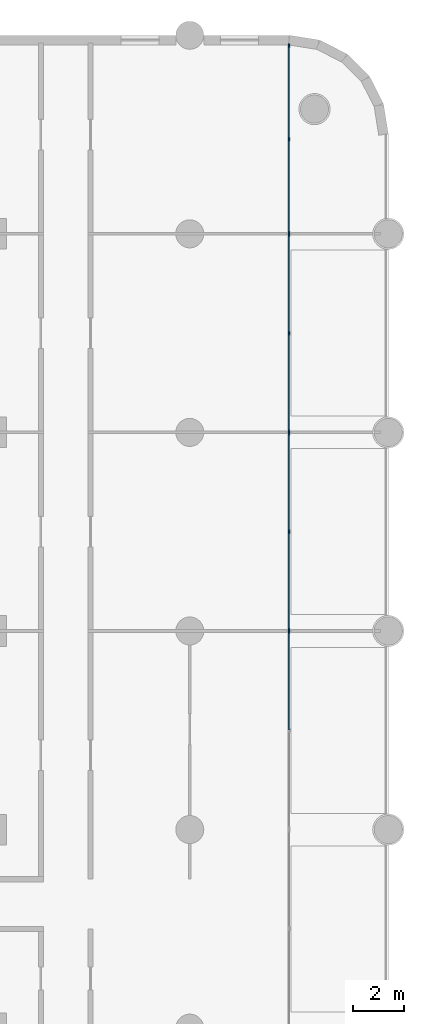
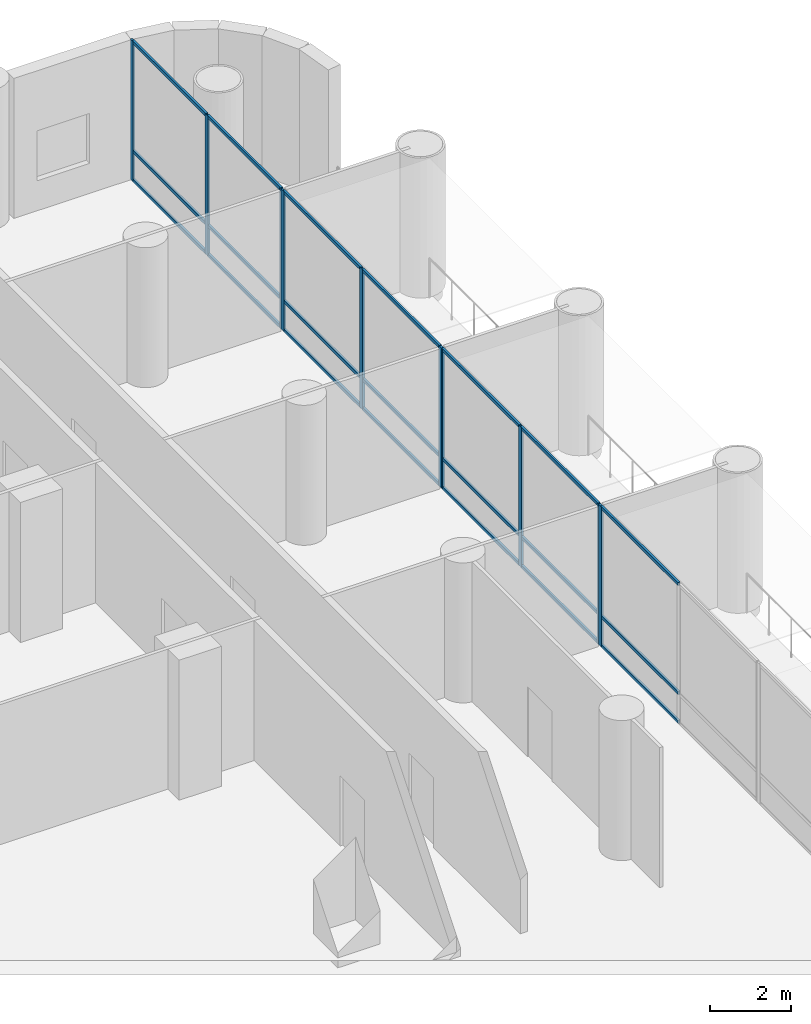
# One storey, part 7 of 24: 31 members, 4 elements without a shape of their own.
"""IFC4 building model written with IfcOpenShell, lengths in metres."""

from ifc_helpers import new_model, si_unit, direction, frame, origin, origin_2d, place, context, subcontext, project, spatial, rectangle, extrude, material, material_profile, profile_set, type_object, element, aggregate, save


model = new_model("IFC4")

# Units and contexts
model_context = context("Model", 3, precision=1e-05, world=origin(), true_north=direction((0.0, 1.0)))
body_context = subcontext(model_context, "Body", "Model", "MODEL_VIEW")
ifc_project = project(units=[si_unit("LENGTHUNIT", "METRE"), si_unit("AREAUNIT", "SQUARE_METRE"), si_unit("VOLUMEUNIT", "CUBIC_METRE"), si_unit("PLANEANGLEUNIT", "RADIAN"), si_unit("MASSUNIT", "GRAM", prefix="KILO")], contexts=[model_context])

# Site, building, storey
site_placement = place(None, origin())
site = spatial("IfcSite", under=ifc_project, at=site_placement, CompositionType="ELEMENT")
building_placement = place(site_placement, origin())
building = spatial("IfcBuilding", under=site, at=building_placement, Name="Ludao Terraces", CompositionType="ELEMENT")
storey_placement = place(building_placement, frame((0.0, 0.0, 6.0)))
storey = spatial("IfcBuildingStorey", under=building, at=storey_placement, Name="L01", CompositionType="ELEMENT", Elevation=6.0)

# Curtain wall, member
ifc_material_1 = material(Name="Aluminium curtain wall with fritted glass", Category="aluminium")
curtain_wall_type = type_object("IfcCurtainWallType", Name="ENV CW1 podium glazing", PredefinedType="NOTDEFINED", material=ifc_material_1)
curtain_wall_1_placement = place(storey_placement, origin())
curtain_wall_1 = element("IfcCurtainWall", 1, at=curtain_wall_1_placement, inside=storey, type_object=curtain_wall_type, Name="CW-L01-E5", PredefinedType="NOTDEFINED")
ifc_material_2 = material(Name="Aluminium 6063-T6", Category="aluminium")
ifc_material_profile_1 = material_profile(ifc_material_2, rectangle(XDim=0.06005859375, YDim=0.14990234375, at=origin_2d()), Name="60 X 150")
ifc_profile_set_1 = profile_set([ifc_material_profile_1], Name="Aluminium 6063-T6")
member_type_1 = type_object("IfcMemberType", Name="ENV CW1 mullion 60x150", PredefinedType="MULLION", material=ifc_profile_set_1)
member_1_placement = place(storey_placement, frame((120.10009765625, 64.969970703125, 0.0), z_axis=(0.0, 0.0, 1.0), x_axis=(-1.0, 0.0, 0.0)))
member_1 = element("IfcMember", 2, at=member_1_placement, type_object=member_type_1, Name="CW1 mullion 3", PredefinedType="MULLION", context=body_context, shape_type="SweptSolid", body=[
    extrude(rectangle(XDim=0.06005859375, YDim=0.14990234375, at=origin_2d()), origin(), (0.0, 0.0, 1.0), 4.199951171875),
])

# Curtain wall, members
curtain_wall_2_placement = place(storey_placement, origin())
curtain_wall_2 = element("IfcCurtainWall", 3, at=curtain_wall_2_placement, inside=storey, type_object=curtain_wall_type, Name="CW-L01-E6", PredefinedType="NOTDEFINED")
member_2_placement = place(storey_placement, frame((120.10009765625, 65.030029296875, 0.0), z_axis=(0.0, 0.0, 1.0), x_axis=(-1.0, 0.0, 0.0)))
member_2 = element("IfcMember", 4, at=member_2_placement, type_object=member_type_1, Name="CW1 mullion 1", PredefinedType="MULLION", context=body_context, shape_type="SweptSolid", body=[
    extrude(rectangle(XDim=0.06005859375, YDim=0.14990234375, at=origin_2d()), origin(), (0.0, 0.0, 1.0), 4.199951171875),
])
member_3_placement = place(storey_placement, frame((120.10009765625, 68.89990234375, 0.0), z_axis=(0.0, 0.0, 1.0), x_axis=(-1.0, 0.0, 0.0)))
member_3 = element("IfcMember", 5, at=member_3_placement, type_object=member_type_1, Name="CW1 mullion 2", PredefinedType="MULLION", context=body_context, shape_type="SweptSolid", body=[
    extrude(rectangle(XDim=0.06005859375, YDim=0.14990234375, at=origin_2d()), origin(), (0.0, 0.0, 1.0), 4.199951171875),
])
member_4_placement = place(storey_placement, frame((120.10009765625, 72.77001953125, 0.0), z_axis=(0.0, 0.0, 1.0), x_axis=(-1.0, 0.0, 0.0)))
member_4 = element("IfcMember", 6, at=member_4_placement, type_object=member_type_1, Name="CW1 mullion 3", PredefinedType="MULLION", context=body_context, shape_type="SweptSolid", body=[
    extrude(rectangle(XDim=0.06005859375, YDim=0.14990234375, at=origin_2d()), origin(), (0.0, 0.0, 1.0), 4.199951171875),
])

curtain_wall_3_placement = place(storey_placement, origin())
curtain_wall_3 = element("IfcCurtainWall", 7, at=curtain_wall_3_placement, inside=storey, type_object=curtain_wall_type, Name="CW-L01-E7", PredefinedType="NOTDEFINED")
member_5_placement = place(storey_placement, frame((120.10009765625, 72.830078125, 0.0), z_axis=(0.0, 0.0, 1.0), x_axis=(-1.0, 0.0, 0.0)))
member_5 = element("IfcMember", 8, at=member_5_placement, type_object=member_type_1, Name="CW1 mullion 1", PredefinedType="MULLION", context=body_context, shape_type="SweptSolid", body=[
    extrude(rectangle(XDim=0.06005859375, YDim=0.14990234375, at=origin_2d()), origin(), (0.0, 0.0, 1.0), 4.199951171875),
])
member_6_placement = place(storey_placement, frame((120.10009765625, 76.699951171875, 0.0), z_axis=(0.0, 0.0, 1.0), x_axis=(-1.0, 0.0, 0.0)))
member_6 = element("IfcMember", 9, at=member_6_placement, type_object=member_type_1, Name="CW1 mullion 2", PredefinedType="MULLION", context=body_context, shape_type="SweptSolid", body=[
    extrude(rectangle(XDim=0.06005859375, YDim=0.14990234375, at=origin_2d()), origin(), (0.0, 0.0, 1.0), 4.199951171875),
])
member_7_placement = place(storey_placement, frame((120.10009765625, 80.570068359375, 0.0), z_axis=(0.0, 0.0, 1.0), x_axis=(-1.0, 0.0, 0.0)))
member_7 = element("IfcMember", 10, at=member_7_placement, type_object=member_type_1, Name="CW1 mullion 3", PredefinedType="MULLION", context=body_context, shape_type="SweptSolid", body=[
    extrude(rectangle(XDim=0.06005859375, YDim=0.14990234375, at=origin_2d()), origin(), (0.0, 0.0, 1.0), 4.199951171875),
])

curtain_wall_4_placement = place(storey_placement, origin())
curtain_wall_4 = element("IfcCurtainWall", 11, at=curtain_wall_4_placement, inside=storey, type_object=curtain_wall_type, Name="CW-L01-E8", PredefinedType="NOTDEFINED")
member_8_placement = place(storey_placement, frame((120.10009765625, 80.6298828125, 0.0), z_axis=(0.0, 0.0, 1.0), x_axis=(-1.0, 0.0, 0.0)))
member_8 = element("IfcMember", 12, at=member_8_placement, type_object=member_type_1, Name="CW1 mullion 1", PredefinedType="MULLION", context=body_context, shape_type="SweptSolid", body=[
    extrude(rectangle(XDim=0.06005859375, YDim=0.14990234375, at=origin_2d()), origin(), (0.0, 0.0, 1.0), 4.199951171875),
])
member_9_placement = place(storey_placement, frame((120.10009765625, 84.31005859375, 0.0), z_axis=(0.0, 0.0, 1.0), x_axis=(-1.0, 0.0, 0.0)))
member_9 = element("IfcMember", 13, at=member_9_placement, type_object=member_type_1, Name="CW1 mullion 2", PredefinedType="MULLION", context=body_context, shape_type="SweptSolid", body=[
    extrude(rectangle(XDim=0.06005859375, YDim=0.14990234375, at=origin_2d()), origin(), (0.0, 0.0, 1.0), 4.199951171875),
])
member_10_placement = place(storey_placement, frame((120.10009765625, 87.989990234375, 0.0), z_axis=(0.0, 0.0, 1.0), x_axis=(-1.0, 0.0, 0.0)))
member_10 = element("IfcMember", 14, at=member_10_placement, type_object=member_type_1, Name="CW1 mullion 3", PredefinedType="MULLION", context=body_context, shape_type="SweptSolid", body=[
    extrude(rectangle(XDim=0.06005859375, YDim=0.14990234375, at=origin_2d()), origin(), (0.0, 0.0, 1.0), 4.199951171875),
])

# Member
ifc_material_profile_2 = material_profile(ifc_material_2, rectangle(XDim=0.06005859375, YDim=0.10009765625, at=origin_2d()), Name="60 X 100")
ifc_profile_set_2 = profile_set([ifc_material_profile_2], Name="Aluminium 6063-T6")
member_type_2 = type_object("IfcMemberType", Name="ENV CW1 transom 60x100", PredefinedType="USERDEFINED", material=ifc_profile_set_2)
member_11_placement = place(storey_placement, frame((120.10009765625, 61.1298828125, 0.030029296875), z_axis=(0.0, 1.0, 0.0), x_axis=(-1.0, 0.0, 0.0)))
member_11 = element("IfcMember", 15, at=member_11_placement, type_object=member_type_2, Name="CW1 transom 2.1", ObjectType="TRANSOM", PredefinedType="USERDEFINED", context=body_context, shape_type="SweptSolid", body=[
    extrude(rectangle(XDim=0.06005859375, YDim=0.10009765625, at=origin_2d()), origin(), (0.0, 0.0, 1.0), 3.81005859375),
])

member_12_placement = place(storey_placement, frame((120.10009765625, 61.1298828125, 0.89990234375), z_axis=(0.0, 1.0, 0.0), x_axis=(-1.0, 0.0, 0.0)))
member_12 = element("IfcMember", 16, at=member_12_placement, type_object=member_type_2, Name="CW1 transom 2.2", ObjectType="TRANSOM", PredefinedType="USERDEFINED", context=body_context, shape_type="SweptSolid", body=[
    extrude(rectangle(XDim=0.06005859375, YDim=0.10009765625, at=origin_2d()), origin(), (0.0, 0.0, 1.0), 3.81005859375),
])

member_13_placement = place(storey_placement, frame((120.10009765625, 61.1298828125, 4.169921875), z_axis=(0.0, 1.0, 0.0), x_axis=(-1.0, 0.0, 0.0)))
member_13 = element("IfcMember", 17, at=member_13_placement, type_object=member_type_2, Name="CW1 transom 2.3", ObjectType="TRANSOM", PredefinedType="USERDEFINED", context=body_context, shape_type="SweptSolid", body=[
    extrude(rectangle(XDim=0.06005859375, YDim=0.10009765625, at=origin_2d()), origin(), (0.0, 0.0, 1.0), 3.81005859375),
])

aggregate(curtain_wall_1, [member_1, member_11, member_12, member_13])

member_14_placement = place(storey_placement, frame((120.10009765625, 65.06005859375, 0.030029296875), z_axis=(0.0, 1.0, 0.0), x_axis=(-1.0, 0.0, 0.0)))
member_14 = element("IfcMember", 18, at=member_14_placement, type_object=member_type_2, Name="CW1 transom 1.1", ObjectType="TRANSOM", PredefinedType="USERDEFINED", context=body_context, shape_type="SweptSolid", body=[
    extrude(rectangle(XDim=0.06005859375, YDim=0.10009765625, at=origin_2d()), origin(), (0.0, 0.0, 1.0), 3.81005859375),
])

member_15_placement = place(storey_placement, frame((120.10009765625, 65.06005859375, 0.89990234375), z_axis=(0.0, 1.0, 0.0), x_axis=(-1.0, 0.0, 0.0)))
member_15 = element("IfcMember", 19, at=member_15_placement, type_object=member_type_2, Name="CW1 transom 1.2", ObjectType="TRANSOM", PredefinedType="USERDEFINED", context=body_context, shape_type="SweptSolid", body=[
    extrude(rectangle(XDim=0.06005859375, YDim=0.10009765625, at=origin_2d()), origin(), (0.0, 0.0, 1.0), 3.81005859375),
])

member_16_placement = place(storey_placement, frame((120.10009765625, 65.06005859375, 4.169921875), z_axis=(0.0, 1.0, 0.0), x_axis=(-1.0, 0.0, 0.0)))
member_16 = element("IfcMember", 20, at=member_16_placement, type_object=member_type_2, Name="CW1 transom 1.3", ObjectType="TRANSOM", PredefinedType="USERDEFINED", context=body_context, shape_type="SweptSolid", body=[
    extrude(rectangle(XDim=0.06005859375, YDim=0.10009765625, at=origin_2d()), origin(), (0.0, 0.0, 1.0), 3.81005859375),
])

member_17_placement = place(storey_placement, frame((120.10009765625, 68.929931640625, 0.030029296875), z_axis=(0.0, 1.0, 0.0), x_axis=(-1.0, 0.0, 0.0)))
member_17 = element("IfcMember", 21, at=member_17_placement, type_object=member_type_2, Name="CW1 transom 2.1", ObjectType="TRANSOM", PredefinedType="USERDEFINED", context=body_context, shape_type="SweptSolid", body=[
    extrude(rectangle(XDim=0.06005859375, YDim=0.10009765625, at=origin_2d()), origin(), (0.0, 0.0, 1.0), 3.81005859375),
])

member_18_placement = place(storey_placement, frame((120.10009765625, 68.929931640625, 0.89990234375), z_axis=(0.0, 1.0, 0.0), x_axis=(-1.0, 0.0, 0.0)))
member_18 = element("IfcMember", 22, at=member_18_placement, type_object=member_type_2, Name="CW1 transom 2.2", ObjectType="TRANSOM", PredefinedType="USERDEFINED", context=body_context, shape_type="SweptSolid", body=[
    extrude(rectangle(XDim=0.06005859375, YDim=0.10009765625, at=origin_2d()), origin(), (0.0, 0.0, 1.0), 3.81005859375),
])

member_19_placement = place(storey_placement, frame((120.10009765625, 68.929931640625, 4.169921875), z_axis=(0.0, 1.0, 0.0), x_axis=(-1.0, 0.0, 0.0)))
member_19 = element("IfcMember", 23, at=member_19_placement, type_object=member_type_2, Name="CW1 transom 2.3", ObjectType="TRANSOM", PredefinedType="USERDEFINED", context=body_context, shape_type="SweptSolid", body=[
    extrude(rectangle(XDim=0.06005859375, YDim=0.10009765625, at=origin_2d()), origin(), (0.0, 0.0, 1.0), 3.81005859375),
])

aggregate(curtain_wall_2, [member_2, member_3, member_4, member_14, member_15, member_16, member_17, member_18, member_19])

member_20_placement = place(storey_placement, frame((120.10009765625, 72.860107421875, 0.030029296875), z_axis=(0.0, 1.0, 0.0), x_axis=(-1.0, 0.0, 0.0)))
member_20 = element("IfcMember", 24, at=member_20_placement, type_object=member_type_2, Name="CW1 transom 1.1", ObjectType="TRANSOM", PredefinedType="USERDEFINED", context=body_context, shape_type="SweptSolid", body=[
    extrude(rectangle(XDim=0.06005859375, YDim=0.10009765625, at=origin_2d()), origin(), (0.0, 0.0, 1.0), 3.809814453125),
])

member_21_placement = place(storey_placement, frame((120.10009765625, 72.860107421875, 0.89990234375), z_axis=(0.0, 1.0, 0.0), x_axis=(-1.0, 0.0, 0.0)))
member_21 = element("IfcMember", 25, at=member_21_placement, type_object=member_type_2, Name="CW1 transom 1.2", ObjectType="TRANSOM", PredefinedType="USERDEFINED", context=body_context, shape_type="SweptSolid", body=[
    extrude(rectangle(XDim=0.06005859375, YDim=0.10009765625, at=origin_2d()), origin(), (0.0, 0.0, 1.0), 3.809814453125),
])

member_22_placement = place(storey_placement, frame((120.10009765625, 72.860107421875, 4.169921875), z_axis=(0.0, 1.0, 0.0), x_axis=(-1.0, 0.0, 0.0)))
member_22 = element("IfcMember", 26, at=member_22_placement, type_object=member_type_2, Name="CW1 transom 1.3", ObjectType="TRANSOM", PredefinedType="USERDEFINED", context=body_context, shape_type="SweptSolid", body=[
    extrude(rectangle(XDim=0.06005859375, YDim=0.10009765625, at=origin_2d()), origin(), (0.0, 0.0, 1.0), 3.809814453125),
])

member_23_placement = place(storey_placement, frame((120.10009765625, 76.72998046875, 0.030029296875), z_axis=(0.0, 1.0, 0.0), x_axis=(-1.0, 0.0, 0.0)))
member_23 = element("IfcMember", 27, at=member_23_placement, type_object=member_type_2, Name="CW1 transom 2.1", ObjectType="TRANSOM", PredefinedType="USERDEFINED", context=body_context, shape_type="SweptSolid", body=[
    extrude(rectangle(XDim=0.06005859375, YDim=0.10009765625, at=origin_2d()), origin(), (0.0, 0.0, 1.0), 3.81005859375),
])

member_24_placement = place(storey_placement, frame((120.10009765625, 76.72998046875, 0.89990234375), z_axis=(0.0, 1.0, 0.0), x_axis=(-1.0, 0.0, 0.0)))
member_24 = element("IfcMember", 28, at=member_24_placement, type_object=member_type_2, Name="CW1 transom 2.2", ObjectType="TRANSOM", PredefinedType="USERDEFINED", context=body_context, shape_type="SweptSolid", body=[
    extrude(rectangle(XDim=0.06005859375, YDim=0.10009765625, at=origin_2d()), origin(), (0.0, 0.0, 1.0), 3.81005859375),
])

member_25_placement = place(storey_placement, frame((120.10009765625, 76.72998046875, 4.169921875), z_axis=(0.0, 1.0, 0.0), x_axis=(-1.0, 0.0, 0.0)))
member_25 = element("IfcMember", 29, at=member_25_placement, type_object=member_type_2, Name="CW1 transom 2.3", ObjectType="TRANSOM", PredefinedType="USERDEFINED", context=body_context, shape_type="SweptSolid", body=[
    extrude(rectangle(XDim=0.06005859375, YDim=0.10009765625, at=origin_2d()), origin(), (0.0, 0.0, 1.0), 3.81005859375),
])

aggregate(curtain_wall_3, [member_5, member_6, member_7, member_20, member_21, member_22, member_23, member_24, member_25])

member_26_placement = place(storey_placement, frame((120.10009765625, 80.659912109375, 0.030029296875), z_axis=(0.0, 1.0, 0.0), x_axis=(-1.0, 0.0, 0.0)))
member_26 = element("IfcMember", 30, at=member_26_placement, type_object=member_type_2, Name="CW1 transom 1.1", ObjectType="TRANSOM", PredefinedType="USERDEFINED", context=body_context, shape_type="SweptSolid", body=[
    extrude(rectangle(XDim=0.06005859375, YDim=0.10009765625, at=origin_2d()), origin(), (0.0, 0.0, 1.0), 3.6201171875),
])

member_27_placement = place(storey_placement, frame((120.10009765625, 80.659912109375, 0.89990234375), z_axis=(0.0, 1.0, 0.0), x_axis=(-1.0, 0.0, 0.0)))
member_27 = element("IfcMember", 31, at=member_27_placement, type_object=member_type_2, Name="CW1 transom 1.2", ObjectType="TRANSOM", PredefinedType="USERDEFINED", context=body_context, shape_type="SweptSolid", body=[
    extrude(rectangle(XDim=0.06005859375, YDim=0.10009765625, at=origin_2d()), origin(), (0.0, 0.0, 1.0), 3.6201171875),
])

member_28_placement = place(storey_placement, frame((120.10009765625, 80.659912109375, 4.169921875), z_axis=(0.0, 1.0, 0.0), x_axis=(-1.0, 0.0, 0.0)))
member_28 = element("IfcMember", 32, at=member_28_placement, type_object=member_type_2, Name="CW1 transom 1.3", ObjectType="TRANSOM", PredefinedType="USERDEFINED", context=body_context, shape_type="SweptSolid", body=[
    extrude(rectangle(XDim=0.06005859375, YDim=0.10009765625, at=origin_2d()), origin(), (0.0, 0.0, 1.0), 3.6201171875),
])

member_29_placement = place(storey_placement, frame((120.10009765625, 84.340087890625, 0.030029296875), z_axis=(0.0, 1.0, 0.0), x_axis=(-1.0, 0.0, 0.0)))
member_29 = element("IfcMember", 33, at=member_29_placement, type_object=member_type_2, Name="CW1 transom 2.1", ObjectType="TRANSOM", PredefinedType="USERDEFINED", context=body_context, shape_type="SweptSolid", body=[
    extrude(rectangle(XDim=0.06005859375, YDim=0.10009765625, at=origin_2d()), origin(), (0.0, 0.0, 1.0), 3.619873046875),
])

member_30_placement = place(storey_placement, frame((120.10009765625, 84.340087890625, 0.89990234375), z_axis=(0.0, 1.0, 0.0), x_axis=(-1.0, 0.0, 0.0)))
member_30 = element("IfcMember", 34, at=member_30_placement, type_object=member_type_2, Name="CW1 transom 2.2", ObjectType="TRANSOM", PredefinedType="USERDEFINED", context=body_context, shape_type="SweptSolid", body=[
    extrude(rectangle(XDim=0.06005859375, YDim=0.10009765625, at=origin_2d()), origin(), (0.0, 0.0, 1.0), 3.619873046875),
])

member_31_placement = place(storey_placement, frame((120.10009765625, 84.340087890625, 4.169921875), z_axis=(0.0, 1.0, 0.0), x_axis=(-1.0, 0.0, 0.0)))
member_31 = element("IfcMember", 35, at=member_31_placement, type_object=member_type_2, Name="CW1 transom 2.3", ObjectType="TRANSOM", PredefinedType="USERDEFINED", context=body_context, shape_type="SweptSolid", body=[
    extrude(rectangle(XDim=0.06005859375, YDim=0.10009765625, at=origin_2d()), origin(), (0.0, 0.0, 1.0), 3.619873046875),
])

aggregate(curtain_wall_4, [member_8, member_9, member_10, member_26, member_27, member_28, member_29, member_30, member_31])

save(model, "model.ifc")
